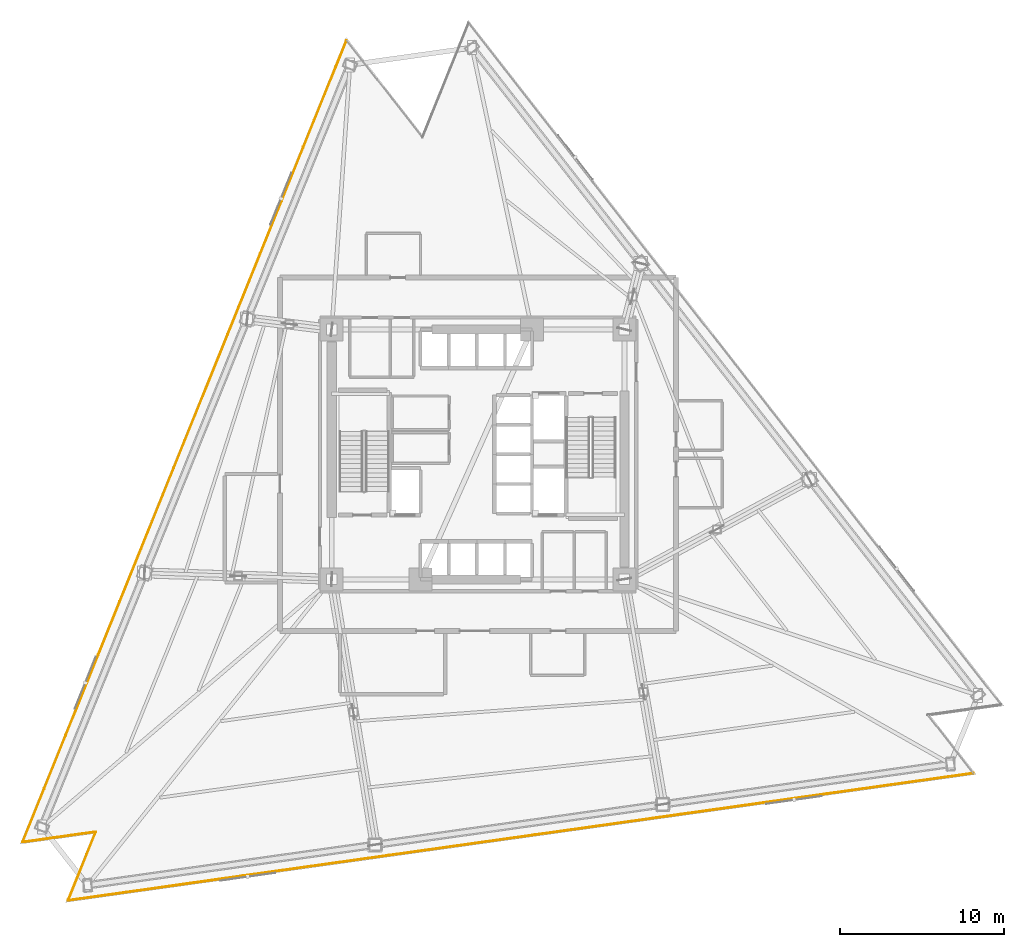
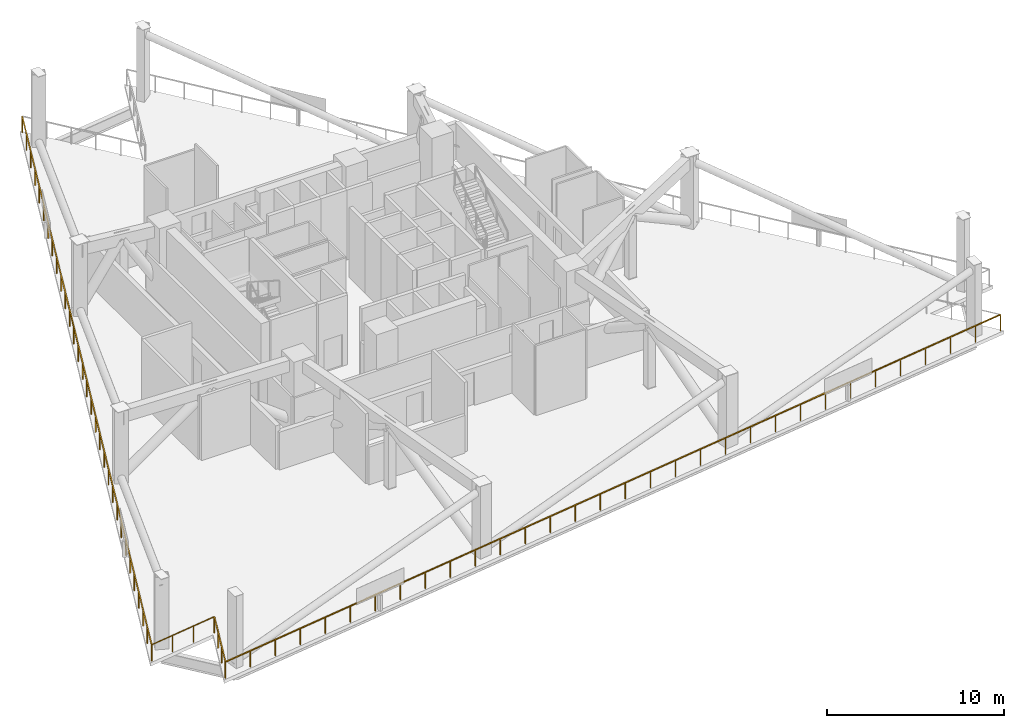
# One storey, part 9 of 13: 4 railings.
"""IFC4 building model written with IfcOpenShell, lengths in metres."""

from ifc_helpers import new_model, si_unit, direction, frame, origin, origin_2d, place, context, subcontext, project, spatial, rectangle, extrude, material, type_object, element, save


model = new_model("IFC4")

# Units and contexts
model_context = context("Model", 3, precision=1e-05, world=origin(), true_north=direction((0.0, 1.0)))
body_context = subcontext(model_context, "Body", "Model", "MODEL_VIEW")
ifc_project = project(units=[si_unit("LENGTHUNIT", "METRE"), si_unit("AREAUNIT", "SQUARE_METRE"), si_unit("VOLUMEUNIT", "CUBIC_METRE"), si_unit("PLANEANGLEUNIT", "RADIAN"), si_unit("MASSUNIT", "GRAM", prefix="KILO")], contexts=[model_context])

# Site, building, storey
site_placement = place(None, origin())
site = spatial("IfcSite", under=ifc_project, at=site_placement, CompositionType="ELEMENT")
building_placement = place(site_placement, origin())
building = spatial("IfcBuilding", under=site, at=building_placement, Name="Tharavind Bronze Gate", CompositionType="ELEMENT")
storey_placement = place(building_placement, frame((0.0, 0.0, 81.10009765625)))
storey = spatial("IfcBuildingStorey", under=building, at=storey_placement, Name="L20", CompositionType="ELEMENT", Elevation=81.10009765625)

# Railings
ifc_material = material(Name="Bronze Cap & Laminated Glass", Category="glass")
railing_type = type_object("IfcRailingType", Name="TERRACE GLASS GUARD RAILING 1150", PredefinedType="GUARDRAIL", material=ifc_material)
railing_1_placement = place(storey_placement, frame((-8.000732421875, 25.18310546875, 0.0)))
element("IfcRailing", 1, at=railing_1_placement, inside=storey, type_object=railing_type, Name="L20 open wind floor perimeter guard railing 3", PredefinedType="GUARDRAIL", context=body_context, shape_type="SweptSolid", body=[
    extrude(rectangle(XDim=0.048095703125, YDim=0.048095703125, at=origin_2d()), frame((-0.011962890625, -0.02978515625, 1.1259765625), z_axis=(-0.37460592534, -0.927184124487, 0.0), x_axis=(0.927184124487, -0.37460592534, 0.0)), (0.0, 0.0, 1.0), 52.54150390625),
    extrude(rectangle(XDim=0.0400390625, YDim=0.0400390625, at=origin_2d()), origin(), (0.0, 0.0, 1.0), 1.097900390625),
    extrude(rectangle(XDim=0.0400390625, YDim=0.0400390625, at=origin_2d()), frame((-0.656982421875, -1.625732421875, 0.0)), (0.0, 0.0, 1.0), 1.097900390625),
    extrude(rectangle(XDim=0.0400390625, YDim=0.0400390625, at=origin_2d()), frame((-1.313720703125, -3.251708984375, 0.0)), (0.0, 0.0, 1.0), 1.097900390625),
    extrude(rectangle(XDim=0.0400390625, YDim=0.0400390625, at=origin_2d()), frame((-1.970703125, -4.87744140625, 0.0)), (0.0, 0.0, 1.0), 1.097900390625),
    extrude(rectangle(XDim=0.0400390625, YDim=0.0400390625, at=origin_2d()), frame((-2.62744140625, -6.50341796875, 0.0)), (0.0, 0.0, 1.0), 1.097900390625),
    extrude(rectangle(XDim=0.0400390625, YDim=0.0400390625, at=origin_2d()), frame((-3.284423828125, -8.129150390625, 0.0)), (0.0, 0.0, 1.0), 1.097900390625),
    extrude(rectangle(XDim=0.0400390625, YDim=0.0400390625, at=origin_2d()), frame((-3.941162109375, -9.7548828125, 0.0)), (0.0, 0.0, 1.0), 1.097900390625),
    extrude(rectangle(XDim=0.0400390625, YDim=0.0400390625, at=origin_2d()), frame((-4.59814453125, -11.380859375, 0.0)), (0.0, 0.0, 1.0), 1.097900390625),
    extrude(rectangle(XDim=0.0400390625, YDim=0.0400390625, at=origin_2d()), frame((-5.255126953125, -13.006591796875, 0.0)), (0.0, 0.0, 1.0), 1.097900390625),
    extrude(rectangle(XDim=0.0400390625, YDim=0.0400390625, at=origin_2d()), frame((-5.911865234375, -14.632568359375, 0.0)), (0.0, 0.0, 1.0), 1.097900390625),
    extrude(rectangle(XDim=0.0400390625, YDim=0.0400390625, at=origin_2d()), frame((-6.56884765625, -16.25830078125, 0.0)), (0.0, 0.0, 1.0), 1.097900390625),
    extrude(rectangle(XDim=0.0400390625, YDim=0.0400390625, at=origin_2d()), frame((-7.2255859375, -17.884033203125, 0.0)), (0.0, 0.0, 1.0), 1.097900390625),
    extrude(rectangle(XDim=0.0400390625, YDim=0.0400390625, at=origin_2d()), frame((-7.882568359375, -19.510009765625, 0.0)), (0.0, 0.0, 1.0), 1.097900390625),
    extrude(rectangle(XDim=0.0400390625, YDim=0.0400390625, at=origin_2d()), frame((-8.539306640625, -21.1357421875, 0.0)), (0.0, 0.0, 1.0), 1.097900390625),
    extrude(rectangle(XDim=0.0400390625, YDim=0.0400390625, at=origin_2d()), frame((-9.1962890625, -22.76171875, 0.0)), (0.0, 0.0, 1.0), 1.097900390625),
    extrude(rectangle(XDim=0.0400390625, YDim=0.0400390625, at=origin_2d()), frame((-9.85302734375, -24.387451171875, 0.0)), (0.0, 0.0, 1.0), 1.097900390625),
    extrude(rectangle(XDim=0.0400390625, YDim=0.0400390625, at=origin_2d()), frame((-10.510009765625, -26.01318359375, 0.0)), (0.0, 0.0, 1.0), 1.097900390625),
    extrude(rectangle(XDim=0.0400390625, YDim=0.0400390625, at=origin_2d()), frame((-11.1669921875, -27.63916015625, 0.0)), (0.0, 0.0, 1.0), 1.097900390625),
    extrude(rectangle(XDim=0.0400390625, YDim=0.0400390625, at=origin_2d()), frame((-11.82373046875, -29.264892578125, 0.0)), (0.0, 0.0, 1.0), 1.097900390625),
    extrude(rectangle(XDim=0.0400390625, YDim=0.0400390625, at=origin_2d()), frame((-12.480712890625, -30.890869140625, 0.0)), (0.0, 0.0, 1.0), 1.097900390625),
    extrude(rectangle(XDim=0.0400390625, YDim=0.0400390625, at=origin_2d()), frame((-13.137451171875, -32.5166015625, 0.0)), (0.0, 0.0, 1.0), 1.097900390625),
    extrude(rectangle(XDim=0.0400390625, YDim=0.0400390625, at=origin_2d()), frame((-13.79443359375, -34.142333984375, 0.0)), (0.0, 0.0, 1.0), 1.097900390625),
    extrude(rectangle(XDim=0.0400390625, YDim=0.0400390625, at=origin_2d()), frame((-14.451171875, -35.768310546875, 0.0)), (0.0, 0.0, 1.0), 1.097900390625),
    extrude(rectangle(XDim=0.0400390625, YDim=0.0400390625, at=origin_2d()), frame((-15.108154296875, -37.39404296875, 0.0)), (0.0, 0.0, 1.0), 1.097900390625),
    extrude(rectangle(XDim=0.0400390625, YDim=0.0400390625, at=origin_2d()), frame((-15.76513671875, -39.02001953125, 0.0)), (0.0, 0.0, 1.0), 1.097900390625),
    extrude(rectangle(XDim=0.0400390625, YDim=0.0400390625, at=origin_2d()), frame((-16.421875, -40.645751953125, 0.0)), (0.0, 0.0, 1.0), 1.097900390625),
    extrude(rectangle(XDim=0.0400390625, YDim=0.0400390625, at=origin_2d()), frame((-17.078857421875, -42.271484375, 0.0)), (0.0, 0.0, 1.0), 1.097900390625),
    extrude(rectangle(XDim=0.0400390625, YDim=0.0400390625, at=origin_2d()), frame((-17.735595703125, -43.8974609375, 0.0)), (0.0, 0.0, 1.0), 1.097900390625),
    extrude(rectangle(XDim=0.0400390625, YDim=0.0400390625, at=origin_2d()), frame((-18.392578125, -45.523193359375, 0.0)), (0.0, 0.0, 1.0), 1.097900390625),
    extrude(rectangle(XDim=0.0400390625, YDim=0.0400390625, at=origin_2d()), frame((-19.04931640625, -47.149169921875, 0.0)), (0.0, 0.0, 1.0), 1.097900390625),
    extrude(rectangle(XDim=0.0400390625, YDim=0.0400390625, at=origin_2d()), frame((-19.706298828125, -48.77490234375, 0.0)), (0.0, 0.0, 1.0), 1.097900390625),
])
railing_2_placement = place(storey_placement, frame((-27.70703125, -23.591796875, 0.0)))
element("IfcRailing", 2, at=railing_2_placement, inside=storey, type_object=railing_type, Name="L20 open wind floor perimeter guard railing 4", PredefinedType="GUARDRAIL", context=body_context, shape_type="SweptSolid", body=[
    extrude(rectangle(XDim=0.048095703125, YDim=0.048095703125, at=origin_2d()), frame((0.03173828125, 0.00439453125, 1.1259765625), z_axis=(0.990269200152, 0.139165050317, 0.0), x_axis=(-0.139165050317, 0.990269200152, 0.0)), (0.0, 0.0, 1.0), 4.435791015625),
    extrude(rectangle(XDim=0.0400390625, YDim=0.0400390625, at=origin_2d()), origin(), (0.0, 0.0, 1.0), 1.097900390625),
    extrude(rectangle(XDim=0.0400390625, YDim=0.0400390625, at=origin_2d()), frame((1.4853515625, 0.208740234375, 0.0)), (0.0, 0.0, 1.0), 1.097900390625),
    extrude(rectangle(XDim=0.0400390625, YDim=0.0400390625, at=origin_2d()), frame((2.970703125, 0.41748046875, 0.0)), (0.0, 0.0, 1.0), 1.097900390625),
    extrude(rectangle(XDim=0.0400390625, YDim=0.0400390625, at=origin_2d()), frame((4.4560546875, 0.626220703125, 0.0)), (0.0, 0.0, 1.0), 1.097900390625),
])
railing_3_placement = place(storey_placement, frame((-23.2509765625, -22.965576171875, 0.0)))
element("IfcRailing", 3, at=railing_3_placement, inside=storey, type_object=railing_type, Name="L20 open wind floor perimeter guard railing 5", PredefinedType="GUARDRAIL", context=body_context, shape_type="SweptSolid", body=[
    extrude(rectangle(XDim=0.048095703125, YDim=0.048095703125, at=origin_2d()), frame((-0.011962890625, -0.02978515625, 1.1259765625), z_axis=(-0.374568898324, -0.927199083481, 0.0), x_axis=(0.927199083481, -0.374568898324, 0.0)), (0.0, 0.0, 1.0), 4.43603515625),
    extrude(rectangle(XDim=0.0400390625, YDim=0.0400390625, at=origin_2d()), origin(), (0.0, 0.0, 1.0), 1.097900390625),
    extrude(rectangle(XDim=0.0400390625, YDim=0.0400390625, at=origin_2d()), frame((-0.561767578125, -1.390869140625, 0.0)), (0.0, 0.0, 1.0), 1.097900390625),
    extrude(rectangle(XDim=0.0400390625, YDim=0.0400390625, at=origin_2d()), frame((-1.123779296875, -2.781494140625, 0.0)), (0.0, 0.0, 1.0), 1.097900390625),
    extrude(rectangle(XDim=0.0400390625, YDim=0.0400390625, at=origin_2d()), frame((-1.685546875, -4.17236328125, 0.0)), (0.0, 0.0, 1.0), 1.097900390625),
])
railing_4_placement = place(storey_placement, frame((-24.9365234375, -27.137939453125, 0.0)))
element("IfcRailing", 4, at=railing_4_placement, inside=storey, type_object=railing_type, Name="L20 open wind floor perimeter guard railing 6", PredefinedType="GUARDRAIL", context=body_context, shape_type="SweptSolid", body=[
    extrude(rectangle(XDim=0.048095703125, YDim=0.048095703125, at=origin_2d()), frame((0.03173828125, 0.00439453125, 1.1259765625), z_axis=(0.990268069638, 0.139173094582, 0.0), x_axis=(-0.139173094582, 0.990268069638, 0.0)), (0.0, 0.0, 1.0), 55.541259765625),
    extrude(rectangle(XDim=0.0400390625, YDim=0.0400390625, at=origin_2d()), origin(), (0.0, 0.0, 1.0), 1.097900390625),
    extrude(rectangle(XDim=0.0400390625, YDim=0.0400390625, at=origin_2d()), frame((1.7763671875, 0.249755859375, 0.0)), (0.0, 0.0, 1.0), 1.097900390625),
    extrude(rectangle(XDim=0.0400390625, YDim=0.0400390625, at=origin_2d()), frame((3.552490234375, 0.499267578125, 0.0)), (0.0, 0.0, 1.0), 1.097900390625),
    extrude(rectangle(XDim=0.0400390625, YDim=0.0400390625, at=origin_2d()), frame((5.328857421875, 0.7490234375, 0.0)), (0.0, 0.0, 1.0), 1.097900390625),
    extrude(rectangle(XDim=0.0400390625, YDim=0.0400390625, at=origin_2d()), frame((7.10498046875, 0.99853515625, 0.0)), (0.0, 0.0, 1.0), 1.097900390625),
    extrude(rectangle(XDim=0.0400390625, YDim=0.0400390625, at=origin_2d()), frame((8.88134765625, 1.248291015625, 0.0)), (0.0, 0.0, 1.0), 1.097900390625),
    extrude(rectangle(XDim=0.0400390625, YDim=0.0400390625, at=origin_2d()), frame((10.657470703125, 1.497802734375, 0.0)), (0.0, 0.0, 1.0), 1.097900390625),
    extrude(rectangle(XDim=0.0400390625, YDim=0.0400390625, at=origin_2d()), frame((12.433837890625, 1.74755859375, 0.0)), (0.0, 0.0, 1.0), 1.097900390625),
    extrude(rectangle(XDim=0.0400390625, YDim=0.0400390625, at=origin_2d()), frame((14.210205078125, 1.9970703125, 0.0)), (0.0, 0.0, 1.0), 1.097900390625),
    extrude(rectangle(XDim=0.0400390625, YDim=0.0400390625, at=origin_2d()), frame((15.986328125, 2.246826171875, 0.0)), (0.0, 0.0, 1.0), 1.097900390625),
    extrude(rectangle(XDim=0.0400390625, YDim=0.0400390625, at=origin_2d()), frame((17.7626953125, 2.496337890625, 0.0)), (0.0, 0.0, 1.0), 1.097900390625),
    extrude(rectangle(XDim=0.0400390625, YDim=0.0400390625, at=origin_2d()), frame((19.538818359375, 2.74609375, 0.0)), (0.0, 0.0, 1.0), 1.097900390625),
    extrude(rectangle(XDim=0.0400390625, YDim=0.0400390625, at=origin_2d()), frame((21.315185546875, 2.99560546875, 0.0)), (0.0, 0.0, 1.0), 1.097900390625),
    extrude(rectangle(XDim=0.0400390625, YDim=0.0400390625, at=origin_2d()), frame((23.091552734375, 3.245361328125, 0.0)), (0.0, 0.0, 1.0), 1.097900390625),
    extrude(rectangle(XDim=0.0400390625, YDim=0.0400390625, at=origin_2d()), frame((24.86767578125, 3.494873046875, 0.0)), (0.0, 0.0, 1.0), 1.097900390625),
    extrude(rectangle(XDim=0.0400390625, YDim=0.0400390625, at=origin_2d()), frame((26.64404296875, 3.74462890625, 0.0)), (0.0, 0.0, 1.0), 1.097900390625),
    extrude(rectangle(XDim=0.0400390625, YDim=0.0400390625, at=origin_2d()), frame((28.420166015625, 3.994140625, 0.0)), (0.0, 0.0, 1.0), 1.097900390625),
    extrude(rectangle(XDim=0.0400390625, YDim=0.0400390625, at=origin_2d()), frame((30.196533203125, 4.243896484375, 0.0)), (0.0, 0.0, 1.0), 1.097900390625),
    extrude(rectangle(XDim=0.0400390625, YDim=0.0400390625, at=origin_2d()), frame((31.97265625, 4.493408203125, 0.0)), (0.0, 0.0, 1.0), 1.097900390625),
    extrude(rectangle(XDim=0.0400390625, YDim=0.0400390625, at=origin_2d()), frame((33.7490234375, 4.7431640625, 0.0)), (0.0, 0.0, 1.0), 1.097900390625),
    extrude(rectangle(XDim=0.0400390625, YDim=0.0400390625, at=origin_2d()), frame((35.525390625, 4.99267578125, 0.0)), (0.0, 0.0, 1.0), 1.097900390625),
    extrude(rectangle(XDim=0.0400390625, YDim=0.0400390625, at=origin_2d()), frame((37.301513671875, 5.242431640625, 0.0)), (0.0, 0.0, 1.0), 1.097900390625),
    extrude(rectangle(XDim=0.0400390625, YDim=0.0400390625, at=origin_2d()), frame((39.077880859375, 5.491943359375, 0.0)), (0.0, 0.0, 1.0), 1.097900390625),
    extrude(rectangle(XDim=0.0400390625, YDim=0.0400390625, at=origin_2d()), frame((40.85400390625, 5.74169921875, 0.0)), (0.0, 0.0, 1.0), 1.097900390625),
    extrude(rectangle(XDim=0.0400390625, YDim=0.0400390625, at=origin_2d()), frame((42.63037109375, 5.9912109375, 0.0)), (0.0, 0.0, 1.0), 1.097900390625),
    extrude(rectangle(XDim=0.0400390625, YDim=0.0400390625, at=origin_2d()), frame((44.40673828125, 6.240966796875, 0.0)), (0.0, 0.0, 1.0), 1.097900390625),
    extrude(rectangle(XDim=0.0400390625, YDim=0.0400390625, at=origin_2d()), frame((46.182861328125, 6.490478515625, 0.0)), (0.0, 0.0, 1.0), 1.097900390625),
    extrude(rectangle(XDim=0.0400390625, YDim=0.0400390625, at=origin_2d()), frame((47.959228515625, 6.740234375, 0.0)), (0.0, 0.0, 1.0), 1.097900390625),
    extrude(rectangle(XDim=0.0400390625, YDim=0.0400390625, at=origin_2d()), frame((49.7353515625, 6.98974609375, 0.0)), (0.0, 0.0, 1.0), 1.097900390625),
    extrude(rectangle(XDim=0.0400390625, YDim=0.0400390625, at=origin_2d()), frame((51.51171875, 7.239501953125, 0.0)), (0.0, 0.0, 1.0), 1.097900390625),
    extrude(rectangle(XDim=0.0400390625, YDim=0.0400390625, at=origin_2d()), frame((53.287841796875, 7.489013671875, 0.0)), (0.0, 0.0, 1.0), 1.097900390625),
    extrude(rectangle(XDim=0.0400390625, YDim=0.0400390625, at=origin_2d()), frame((55.064208984375, 7.73876953125, 0.0)), (0.0, 0.0, 1.0), 1.097900390625),
])

save(model, "model.ifc")
